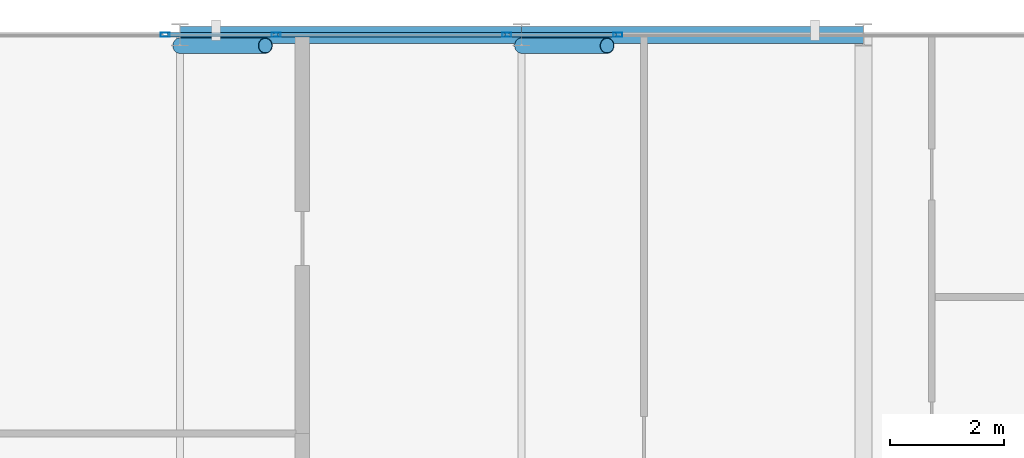
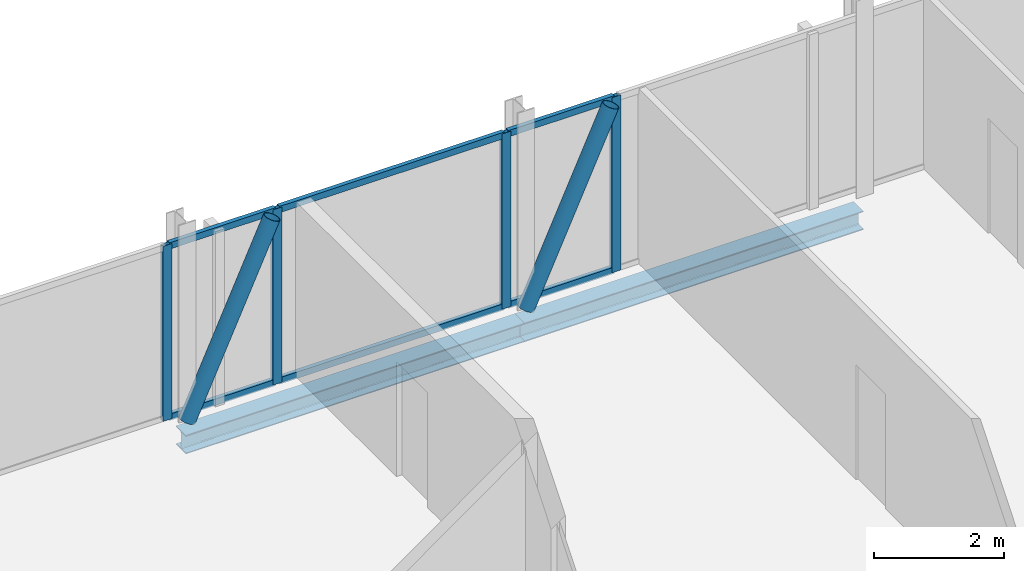
# One storey, part 17 of 27: 12 members, 2 beams, 4 elements without a shape of their own.
"""IFC4 building model written with IfcOpenShell, lengths in metres."""

from ifc_helpers import new_model, si_unit, direction, frame, origin, origin_2d, place, context, subcontext, project, spatial, hollow_rectangle, hollow_circle, i_section, extrude, material, layer, layer_set, material_profile, profile_set, type_object, element, aggregate, save


model = new_model("IFC4")

# Units and contexts
model_context = context("Model", 3, precision=1e-05, world=origin(), true_north=direction((0.0, 1.0)))
body_context = subcontext(model_context, "Body", "Model", "MODEL_VIEW")
ifc_project = project(units=[si_unit("LENGTHUNIT", "METRE"), si_unit("AREAUNIT", "SQUARE_METRE"), si_unit("VOLUMEUNIT", "CUBIC_METRE"), si_unit("PLANEANGLEUNIT", "RADIAN"), si_unit("MASSUNIT", "GRAM", prefix="KILO")], contexts=[model_context])

# Site, building, storey
site_placement = place(None, origin())
site = spatial("IfcSite", under=ifc_project, at=site_placement, CompositionType="ELEMENT")
building_placement = place(site_placement, origin())
building = spatial("IfcBuilding", under=site, at=building_placement, Name="Keshet Zoharim Tower", CompositionType="ELEMENT")
storey_placement = place(building_placement, frame((0.0, 0.0, 311.0)))
storey = spatial("IfcBuildingStorey", under=building, at=storey_placement, Name="L78", CompositionType="ELEMENT", Elevation=311.0)

# Beams
ifc_material_1 = material(Name="Steel S355", Category="steel")
ifc_material_profile_1 = material_profile(ifc_material_1, i_section(OverallWidth=0.300048828125, OverallDepth=0.35009765625, WebThickness=0.010009765625, FlangeThickness=0.017578125, FilletRadius=0.027099609375, at=origin_2d()), Name="HEA360")
ifc_profile_set_1 = profile_set([ifc_material_profile_1], Name="Steel S355")
beam_type = type_object("IfcBeamType", Name="BM-PRI-HA360", PredefinedType="BEAM", material=ifc_profile_set_1)
for number, where, z_axis, x_axis, name in (
    (1, (21.0, 53.89990234375, -0.485107421875), (1.0, 0.0, 0.0), (0.0, 1.0, 0.0), "L78 Primary Girder X-010"),
    (2, (27.0, 53.89990234375, -0.485107421875), (1.0, 0.0, 0.0), (0.0, 1.0, 0.0), "L78 Primary Girder X-011"),
):
    element("IfcBeam", number, at=place(storey_placement, frame(where, z_axis=z_axis, x_axis=x_axis)), inside=storey, type_object=beam_type, Name=name, PredefinedType="BEAM", context=body_context, shape_type="SweptSolid", body=[
        extrude(i_section(OverallWidth=0.300048828125, OverallDepth=0.35009765625, WebThickness=0.010009765625, FlangeThickness=0.017578125, FilletRadius=0.027099609375, at=origin_2d()), origin(), (0.0, 0.0, 1.0), 6.0),
    ])

# Curtain wall, member
ifc_material_2 = material(Name="Aluminium 6063-T6", Category="aluminium")
ifc_layer = layer(ifc_material_2, 0.260009765625)
ifc_layer_set = layer_set([ifc_layer], Name="Aluminium 6063-T6")
curtain_wall_type = type_object("IfcCurtainWallType", Name="CW-SYS-06", PredefinedType="NOTDEFINED", material=ifc_layer_set)
curtain_wall_1_placement = place(storey_placement, origin())
curtain_wall_1 = element("IfcCurtainWall", 3, at=curtain_wall_1_placement, inside=storey, type_object=curtain_wall_type, Name="L78 Unitised Curtain Wall 06", PredefinedType="NOTDEFINED")
ifc_material_profile_2 = material_profile(ifc_material_2, hollow_rectangle(XDim=0.074951171875, YDim=0.159912109375, WallThickness=0.00390625, at=origin_2d()), Name="MUL-75x160")
ifc_profile_set_2 = profile_set([ifc_material_profile_2], Name="Aluminium 6063-T6")
member_type_1 = type_object("IfcMemberType", Name="CWM-M15", PredefinedType="MULLION", material=ifc_profile_set_2)
member_1_placement = place(storey_placement, frame((20.740966796875, 53.89990234375, 0.0), z_axis=(0.0, 0.0, 1.0), x_axis=(0.0, 1.0, 0.0)))
member_1 = element("IfcMember", 4, at=member_1_placement, type_object=member_type_1, Name="CW-06 mullion 2", PredefinedType="MULLION", context=body_context, shape_type="SweptSolid", body=[
    extrude(hollow_rectangle(XDim=0.074951171875, YDim=0.159912109375, WallThickness=0.00390625, at=origin_2d()), origin(), (0.0, 0.0, 1.0), 3.280029296875),
])
aggregate(curtain_wall_1, [member_1])

curtain_wall_2_placement = place(storey_placement, origin())
curtain_wall_2 = element("IfcCurtainWall", 5, at=curtain_wall_2_placement, inside=storey, type_object=curtain_wall_type, Name="L78 Unitised Curtain Wall 06 Part 2", PredefinedType="NOTDEFINED")
member_2_placement = place(storey_placement, frame((22.689208984375, 53.89990234375, 0.0), z_axis=(0.0, 0.0, 1.0), x_axis=(0.0, 1.0, 0.0)))
member_2 = element("IfcMember", 6, at=member_2_placement, type_object=member_type_1, Name="CW-06 mullion 2", PredefinedType="MULLION", context=body_context, shape_type="SweptSolid", body=[
    extrude(hollow_rectangle(XDim=0.074951171875, YDim=0.159912109375, WallThickness=0.00390625, at=origin_2d()), origin(), (0.0, 0.0, 1.0), 3.280029296875),
])

curtain_wall_3_placement = place(storey_placement, origin())
curtain_wall_3 = element("IfcCurtainWall", 7, at=curtain_wall_3_placement, inside=storey, type_object=curtain_wall_type, Name="L78 Unitised Curtain Wall 06 Part 3", PredefinedType="NOTDEFINED")
member_3_placement = place(storey_placement, frame((26.740966796875, 53.89990234375, 0.0), z_axis=(0.0, 0.0, 1.0), x_axis=(0.0, 1.0, 0.0)))
member_3 = element("IfcMember", 8, at=member_3_placement, type_object=member_type_1, Name="CW-06 mullion 2", PredefinedType="MULLION", context=body_context, shape_type="SweptSolid", body=[
    extrude(hollow_rectangle(XDim=0.074951171875, YDim=0.159912109375, WallThickness=0.00390625, at=origin_2d()), origin(), (0.0, 0.0, 1.0), 3.280029296875),
])

curtain_wall_4_placement = place(storey_placement, origin())
curtain_wall_4 = element("IfcCurtainWall", 9, at=curtain_wall_4_placement, inside=storey, type_object=curtain_wall_type, Name="L78 Unitised Curtain Wall 06 Part 4", PredefinedType="NOTDEFINED")
member_4_placement = place(storey_placement, frame((28.689208984375, 53.89990234375, 0.0), z_axis=(0.0, 0.0, 1.0), x_axis=(0.0, 1.0, 0.0)))
member_4 = element("IfcMember", 10, at=member_4_placement, type_object=member_type_1, Name="CW-06 mullion 2", PredefinedType="MULLION", context=body_context, shape_type="SweptSolid", body=[
    extrude(hollow_rectangle(XDim=0.074951171875, YDim=0.159912109375, WallThickness=0.00390625, at=origin_2d()), origin(), (0.0, 0.0, 1.0), 3.280029296875),
])

# Member
ifc_material_profile_3 = material_profile(ifc_material_2, hollow_rectangle(XDim=0.074951171875, YDim=0.1201171875, WallThickness=0.00390625, at=origin_2d()), Name="TRN-75x120")
ifc_profile_set_3 = profile_set([ifc_material_profile_3], Name="Aluminium 6063-T6")
member_type_2 = type_object("IfcMemberType", Name="CWT-T12", PredefinedType="USERDEFINED", material=ifc_profile_set_3)
member_5_placement = place(storey_placement, frame((20.77587890625, 53.89990234375, 0.034912109375), z_axis=(1.0, 0.0, 0.0), x_axis=(0.0, 1.0, 0.0)))
member_5 = element("IfcMember", 11, at=member_5_placement, type_object=member_type_2, Name="CW-06 transom 1.1", ObjectType="TRANSOM", PredefinedType="USERDEFINED", context=body_context, shape_type="SweptSolid", body=[
    extrude(hollow_rectangle(XDim=0.074951171875, YDim=0.1201171875, WallThickness=0.00390625, at=origin_2d()), origin(), (0.0, 0.0, 1.0), 1.878173828125),
])

member_6_placement = place(storey_placement, frame((20.77587890625, 53.89990234375, 3.2451171875), z_axis=(1.0, 0.0, 0.0), x_axis=(0.0, 1.0, 0.0)))
member_6 = element("IfcMember", 12, at=member_6_placement, type_object=member_type_2, Name="CW-06 transom 1.2", ObjectType="TRANSOM", PredefinedType="USERDEFINED", context=body_context, shape_type="SweptSolid", body=[
    extrude(hollow_rectangle(XDim=0.074951171875, YDim=0.1201171875, WallThickness=0.00390625, at=origin_2d()), origin(), (0.0, 0.0, 1.0), 1.878173828125),
])

aggregate(curtain_wall_2, [member_2, member_5, member_6])

member_7_placement = place(storey_placement, frame((22.72412109375, 53.89990234375, 0.034912109375), z_axis=(1.0, 0.0, 0.0), x_axis=(0.0, 1.0, 0.0)))
member_7 = element("IfcMember", 13, at=member_7_placement, type_object=member_type_2, Name="CW-06 transom 1.1", ObjectType="TRANSOM", PredefinedType="USERDEFINED", context=body_context, shape_type="SweptSolid", body=[
    extrude(hollow_rectangle(XDim=0.074951171875, YDim=0.1201171875, WallThickness=0.00390625, at=origin_2d()), origin(), (0.0, 0.0, 1.0), 3.981689453125),
])

member_8_placement = place(storey_placement, frame((22.72412109375, 53.89990234375, 3.2451171875), z_axis=(1.0, 0.0, 0.0), x_axis=(0.0, 1.0, 0.0)))
member_8 = element("IfcMember", 14, at=member_8_placement, type_object=member_type_2, Name="CW-06 transom 1.2", ObjectType="TRANSOM", PredefinedType="USERDEFINED", context=body_context, shape_type="SweptSolid", body=[
    extrude(hollow_rectangle(XDim=0.074951171875, YDim=0.1201171875, WallThickness=0.00390625, at=origin_2d()), origin(), (0.0, 0.0, 1.0), 3.981689453125),
])

aggregate(curtain_wall_3, [member_3, member_7, member_8])

member_9_placement = place(storey_placement, frame((26.77587890625, 53.89990234375, 0.034912109375), z_axis=(1.0, 0.0, 0.0), x_axis=(0.0, 1.0, 0.0)))
member_9 = element("IfcMember", 15, at=member_9_placement, type_object=member_type_2, Name="CW-06 transom 1.1", ObjectType="TRANSOM", PredefinedType="USERDEFINED", context=body_context, shape_type="SweptSolid", body=[
    extrude(hollow_rectangle(XDim=0.074951171875, YDim=0.1201171875, WallThickness=0.00390625, at=origin_2d()), origin(), (0.0, 0.0, 1.0), 1.878173828125),
])

member_10_placement = place(storey_placement, frame((26.77587890625, 53.89990234375, 3.2451171875), z_axis=(1.0, 0.0, 0.0), x_axis=(0.0, 1.0, 0.0)))
member_10 = element("IfcMember", 16, at=member_10_placement, type_object=member_type_2, Name="CW-06 transom 1.2", ObjectType="TRANSOM", PredefinedType="USERDEFINED", context=body_context, shape_type="SweptSolid", body=[
    extrude(hollow_rectangle(XDim=0.074951171875, YDim=0.1201171875, WallThickness=0.00390625, at=origin_2d()), origin(), (0.0, 0.0, 1.0), 1.878173828125),
])

aggregate(curtain_wall_4, [member_4, member_9, member_10])

# Members
ifc_material_profile_4 = material_profile(ifc_material_1, hollow_circle(Radius=0.136474609375, WallThickness=0.010009765625, at=origin_2d()), Name="CHS273x10")
ifc_profile_set_4 = profile_set([ifc_material_profile_4], Name="Steel S355")
member_type_3 = type_object("IfcMemberType", Name="MB-BR-C273", PredefinedType="BRACE", material=ifc_profile_set_4)
for number, where, z_axis, x_axis, name in (
    (17, (21.0, 53.7099609375, 0.0), (0.415887731958, 0.0, 0.909415963356), (0.0, 1.0, 0.0), "L78 Perimeter Tube Brace 03"),
    (18, (27.0, 53.7099609375, 0.0), (0.415887731958, 0.0, 0.909415963356), (0.0, 1.0, 0.0), "L78 Perimeter Tube Brace 04"),
):
    element("IfcMember", number, at=place(storey_placement, frame(where, z_axis=z_axis, x_axis=x_axis)), inside=storey, type_object=member_type_3, Name=name, PredefinedType="BRACE", context=body_context, shape_type="SweptSolid", body=[
        extrude(hollow_circle(Radius=0.136474609375, WallThickness=0.010009765625, at=origin_2d()), origin(), (0.0, 0.0, 1.0), 3.606689453125),
    ])

save(model, "model.ifc")
